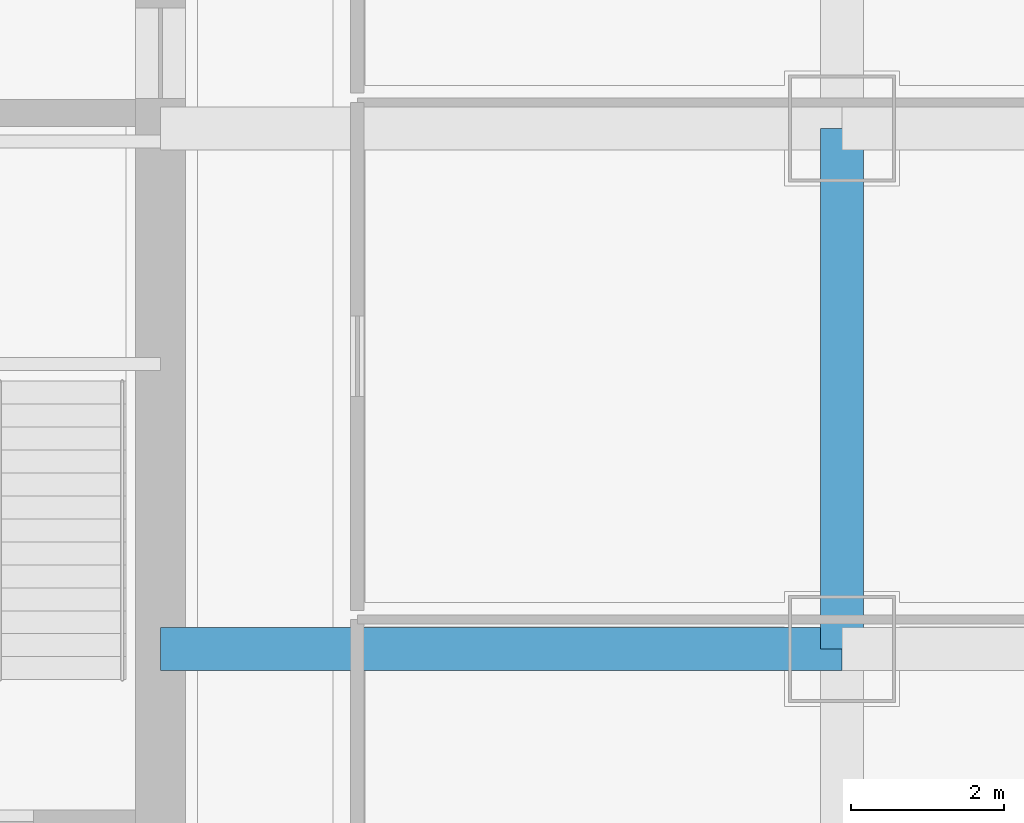
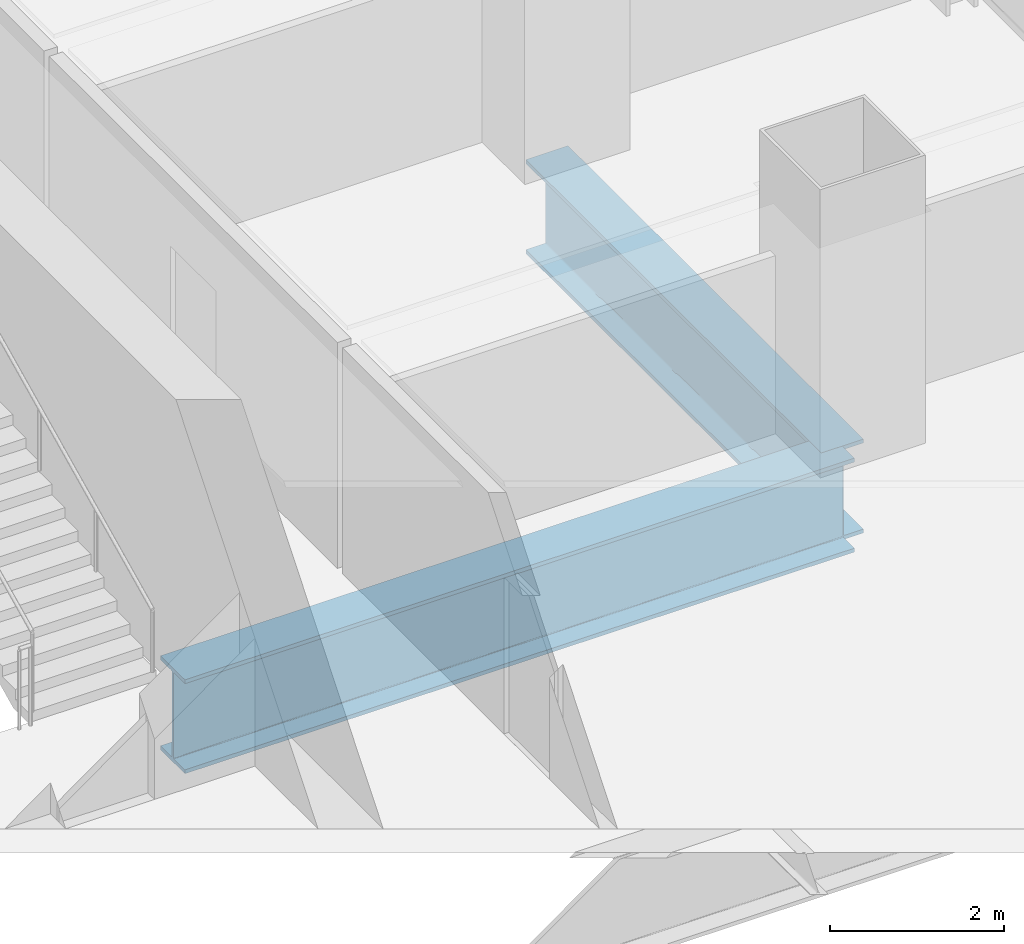
# One storey, part 15 of 41: 2 beams.
"""IFC4 building model written with IfcOpenShell, lengths in metres."""

from ifc_helpers import new_model, si_unit, direction, frame, origin, origin_2d, place, context, subcontext, project, spatial, i_section, extrude, material, material_profile, profile_set, type_object, element, save


model = new_model("IFC4")

# Units and contexts
model_context = context("Model", 3, precision=1e-05, world=origin(), true_north=direction((0.0, 1.0)))
body_context = subcontext(model_context, "Body", "Model", "MODEL_VIEW")
ifc_project = project(units=[si_unit("LENGTHUNIT", "METRE"), si_unit("AREAUNIT", "SQUARE_METRE"), si_unit("VOLUMEUNIT", "CUBIC_METRE"), si_unit("PLANEANGLEUNIT", "RADIAN"), si_unit("MASSUNIT", "GRAM", prefix="KILO")], contexts=[model_context])

# Site, building, storey
site_placement = place(None, origin())
site = spatial("IfcSite", under=ifc_project, at=site_placement, CompositionType="ELEMENT")
building_placement = place(site_placement, origin())
building = spatial("IfcBuilding", under=site, at=building_placement, Name="Punatoya Terracotta Tower", CompositionType="ELEMENT")
storey_placement = place(building_placement, frame((0.0, 0.0, 220.800048828125)))
storey = spatial("IfcBuildingStorey", under=building, at=storey_placement, Name="L52", CompositionType="ELEMENT", Elevation=220.800048828125)

# Beams
ifc_material = material(Name="Steel S460", Category="steel")
ifc_material_profile = material_profile(ifc_material, i_section(OverallWidth=0.56005859375, OverallDepth=1.320068359375, WebThickness=0.035888671875, FlangeThickness=0.054931640625, FilletRadius=0.01806640625, at=origin_2d()))
ifc_profile_set = profile_set([ifc_material_profile], Name="Steel S460")
beam_type = type_object("IfcBeamType", Name="BM-TG-BLK", PredefinedType="BEAM", material=ifc_profile_set)
beam_1_placement = place(storey_placement, frame((19.10009765625, -3.39990234375, -0.880126953125), z_axis=(0.0, 1.0, 0.0), x_axis=(-1.0, 0.0, 0.0)))
element("IfcBeam", 1, at=beam_1_placement, inside=storey, type_object=beam_type, Name="BM-L52-RG-E2", PredefinedType="BEAM", context=body_context, shape_type="SweptSolid", body=[
    extrude(i_section(OverallWidth=0.56005859375, OverallDepth=1.320068359375, WebThickness=0.035888671875, FlangeThickness=0.054931640625, FilletRadius=0.01806640625, at=origin_2d()), origin(), (0.0, 0.0, 1.0), 6.7998046875),
])
beam_2_placement = place(storey_placement, frame((10.199951171875, -3.39990234375, -0.880126953125), z_axis=(1.0, 0.0, 0.0), x_axis=(0.0, 1.0, 0.0)))
element("IfcBeam", 2, at=beam_2_placement, inside=storey, type_object=beam_type, Name="BM-L52-PR-ED", PredefinedType="BEAM", context=body_context, shape_type="SweptSolid", body=[
    extrude(i_section(OverallWidth=0.56005859375, OverallDepth=1.320068359375, WebThickness=0.035888671875, FlangeThickness=0.054931640625, FilletRadius=0.01806640625, at=origin_2d()), origin(), (0.0, 0.0, 1.0), 8.900146484375),
])

save(model, "model.ifc")
